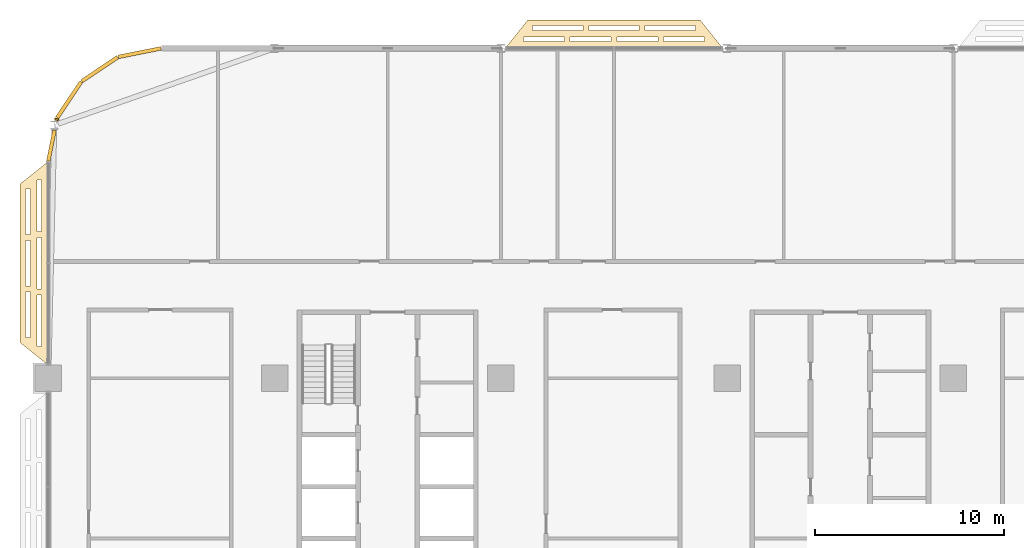
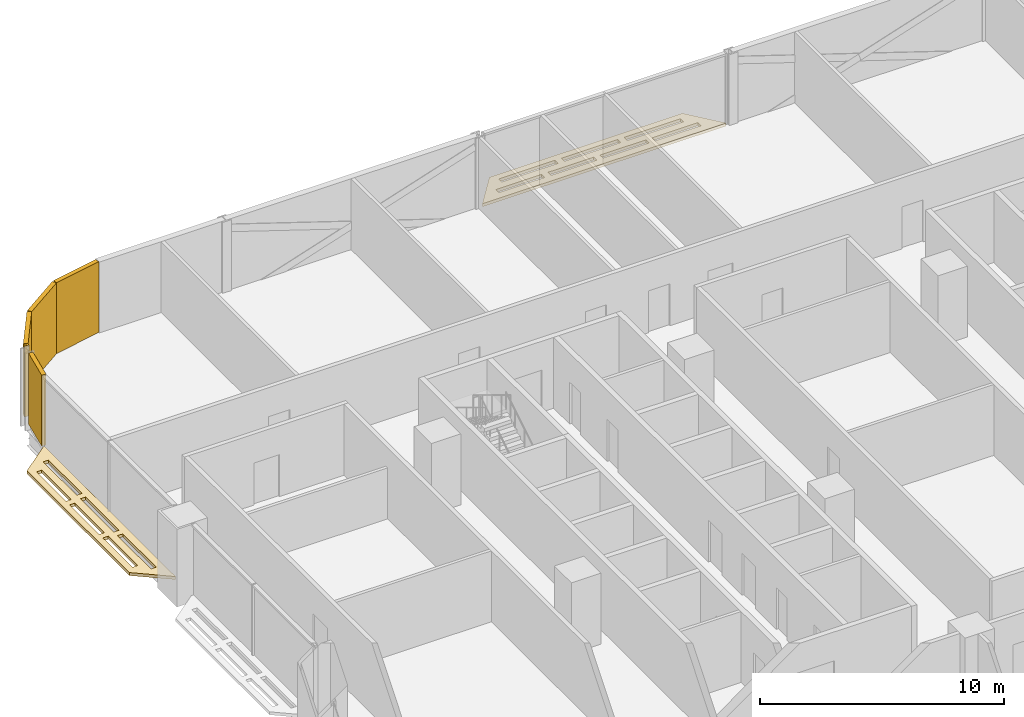
# One storey, part 27 of 29: 7 coverings.
"""IFC4 building model written with IfcOpenShell, lengths in metres."""

import ifcopenshell
import ifcopenshell.guid

model = None  # the IFC model being written
_history = None  # IfcOwnerHistory: only IFC2X3 demands one
_inside = {}  # id of a spatial element -> (the spatial element, [elements in it])
_under = {}  # id of a project, library or spatial element -> (it, [spatial elements below it])
_declared = {}  # id of a project -> (the project, [libraries it declares])
_typed = {}  # id of a type object -> (the type object, [elements of that type])
_made_of = {}  # id of a material, layer set ... -> (it, [elements and type objects made of it])


def new_model(schema):
    """Start an empty IFC model of exactly this schema.

    Asked for "IFC4X3", IfcOpenShell would pick the latest addendum, in which some entities
    have other attributes; the version numbers below select the first issue.
    IFC2X3 requires an IfcOwnerHistory on every rooted entity: one is made here for all.
    """
    global model, _history
    if schema == "IFC4X3":
        model = ifcopenshell.file(schema_version=(4, 3, 0, 0))
    else:
        model = ifcopenshell.file(schema=schema)
    _inside.clear()
    _under.clear()
    _declared.clear()
    _typed.clear()
    _made_of.clear()
    _history = None
    if model.schema == "IFC2X3":
        org = make("IfcOrganization", Name="unknown")
        user = make(
            "IfcPersonAndOrganization",
            ThePerson=make("IfcPerson", FamilyName="unknown"),
            TheOrganization=org,
        )
        app = make(
            "IfcApplication",
            ApplicationDeveloper=org,
            Version="unknown",
            ApplicationFullName="unknown",
            ApplicationIdentifier="unknown",
        )
        _history = make(
            "IfcOwnerHistory",
            OwningUser=user,
            OwningApplication=app,
            ChangeAction="ADDED",
            CreationDate=0,
        )
    return model


def make(cls, **values):
    """One entity of the class cls with the attributes given. An attribute that is None is left unset."""
    return model.create_entity(
        cls, **{name: value for name, value in values.items() if value is not None}
    )


def rooted(cls, **values):
    """An entity with a GlobalId (a new one), such as an element, a storey or a relation."""
    return make(cls, GlobalId=ifcopenshell.guid.new(), OwnerHistory=_history, **values)


def si_unit(unit_type, name, prefix=None):
    """IfcSIUnit, for example si_unit("LENGTHUNIT", "METRE", prefix="MILLI")."""
    return make("IfcSIUnit", UnitType=unit_type, Prefix=prefix, Name=name)


def assignment(units):
    """IfcUnitAssignment: the units of a project."""
    return None if units is None else make("IfcUnitAssignment", Units=units)


def point(xyz):
    """IfcCartesianPoint."""
    return None if xyz is None else make("IfcCartesianPoint", Coordinates=xyz)


def direction(xyz):
    """IfcDirection."""
    return None if xyz is None else make("IfcDirection", DirectionRatios=xyz)


def frame(location, z_axis=None, x_axis=None):
    """IfcAxis2Placement3D, a coordinate frame: its origin and axes. An axis left out is left unset."""
    return make(
        "IfcAxis2Placement3D",
        Location=point(location),
        Axis=direction(z_axis),
        RefDirection=direction(x_axis),
    )


def frame_2d(location, x_axis=None):
    """IfcAxis2Placement2D, a coordinate frame in the plane: its origin and x axis."""
    return make(
        "IfcAxis2Placement2D", Location=point(location), RefDirection=direction(x_axis)
    )


def origin():
    """The frame at (0, 0, 0) with its axes left unset."""
    return frame((0.0, 0.0, 0.0))


def origin_2d():
    """The frame at (0, 0) in the plane with its x axis left unset."""
    return frame_2d((0.0, 0.0))


def place(relative_to, where):
    """IfcLocalPlacement: puts the frame where relative to a parent placement (None: the world)."""
    return make(
        "IfcLocalPlacement", PlacementRelTo=relative_to, RelativePlacement=where
    )


def context(
    kind, dimensions, precision=None, world=None, true_north=None, identifier=None
):
    """IfcGeometricRepresentationContext, for example the 3D "Model" context."""
    return make(
        "IfcGeometricRepresentationContext",
        ContextIdentifier=identifier,
        ContextType=kind,
        CoordinateSpaceDimension=dimensions,
        Precision=precision,
        WorldCoordinateSystem=world,
        TrueNorth=true_north,
    )


def subcontext(parent, identifier, kind, view, scale=None):
    """IfcGeometricRepresentationSubContext, for example "Body" below "Model"."""
    return make(
        "IfcGeometricRepresentationSubContext",
        ContextIdentifier=identifier,
        ContextType=kind,
        ParentContext=parent,
        TargetScale=scale,
        TargetView=view,
    )


def project(units=None, contexts=None):
    """IfcProject with its units and contexts."""
    return rooted(
        "IfcProject",
        Name="project",
        RepresentationContexts=contexts,
        UnitsInContext=assignment(units),
    )


def spatial(cls, under=None, at=None, **own):
    """A site, building, storey or space (cls), placed at a placement, below another one or the project."""
    s = rooted(cls, ObjectPlacement=at, **own)
    if under is not None:
        _under.setdefault(under.id(), (under, []))[1].append(s)
    return s


def polyline(points):
    """IfcPolyline through the points."""
    return make("IfcPolyline", Points=[point(p) for p in points])


def profile(cls, at=None, kind="AREA", **sizes):
    """A parametric profile (cls). Its sizes go by their IFC names, for example OverallWidth=200.0."""
    return make(cls, ProfileType=kind, Position=at, **sizes)


def rectangle(**sizes):
    """IfcRectangleProfileDef."""
    return profile("IfcRectangleProfileDef", **sizes)


def outline(outer, holes=None, kind="AREA"):
    """IfcArbitraryClosedProfileDef: a profile drawn as a closed curve; with holes, ...WithVoids."""
    if holes is None:
        return make("IfcArbitraryClosedProfileDef", ProfileType=kind, OuterCurve=outer)
    return make(
        "IfcArbitraryProfileDefWithVoids",
        ProfileType=kind,
        OuterCurve=outer,
        InnerCurves=holes,
    )


def extrude(swept, where, along, depth):
    """IfcExtrudedAreaSolid: the profile swept, set in the frame where, extruded along a direction by depth."""
    return make(
        "IfcExtrudedAreaSolid",
        SweptArea=swept,
        Position=where,
        ExtrudedDirection=direction(along),
        Depth=depth,
    )


def shape(context_of_items, identifier, shape_type, items):
    """IfcShapeRepresentation: the items that make up one representation, for example the "Body"."""
    return make(
        "IfcShapeRepresentation",
        ContextOfItems=context_of_items,
        RepresentationIdentifier=identifier,
        RepresentationType=shape_type,
        Items=items,
    )


def material(Name=None, Category=None):
    """IfcMaterial."""
    return make("IfcMaterial", Name=Name, Category=Category)


def layer(
    of_material, thickness, ventilated=None, Name=None, Category=None, Priority=None
):
    """IfcMaterialLayer: one layer of a wall or slab, of a material (None: an air gap)."""
    return make(
        "IfcMaterialLayer",
        Material=of_material,
        LayerThickness=thickness,
        IsVentilated=ventilated,
        Name=Name,
        Category=Category,
        Priority=Priority,
    )


def layer_set(layers, Name=None):
    """IfcMaterialLayerSet."""
    return make("IfcMaterialLayerSet", MaterialLayers=layers, LayerSetName=Name)


def made_of(thing, what):
    """Note that an element or type object is made of a material, layer set ...; save() writes the relation."""
    if what is not None:
        _made_of.setdefault(what.id(), (what, []))[1].append(thing)
    return thing


def type_object(cls, material=None, **own):
    """A type object (cls), such as IfcWallType, which elements share."""
    return made_of(rooted(cls, **own), material)


def element(
    cls,
    number,
    at=None,
    inside=None,
    cuts=None,
    type_object=None,
    material=None,
    context=None,
    identifier="Body",
    shape_type=None,
    held_by="IfcProductDefinitionShape",
    body=None,
    shapes=None,
    **own,
):
    """One element of the class cls, such as IfcWall. Its Tag is "e" and its number.

    at: its placement. inside: the storey or other place that contains it. cuts: it is an
    opening in that element (IfcRelVoidsElement). A single representation is given by context,
    identifier, shape_type and body (its items); several are given by shapes. held_by: the class
    of the entity that holds the representations. save() writes the other relations.
    """
    e = rooted(cls, Tag="e%d" % number, ObjectPlacement=at, **own)
    if body is not None:
        shapes = [shape(context, identifier, shape_type, body)]
    if shapes is not None:
        e.Representation = make(held_by, Representations=shapes)
    if inside is not None:
        _inside.setdefault(inside.id(), (inside, []))[1].append(e)
    if cuts is not None:
        rooted(
            "IfcRelVoidsElement", RelatingBuildingElement=cuts, RelatedOpeningElement=e
        )
    if type_object is not None:
        _typed.setdefault(type_object.id(), (type_object, []))[1].append(e)
    return made_of(e, material)


def aggregate(whole, parts):
    """IfcRelAggregates: a whole, such as a stair, and the parts it consists of."""
    return rooted("IfcRelAggregates", RelatingObject=whole, RelatedObjects=parts)


def save(model, path):
    """Write the relations noted so far, then the file.

    IfcRelAggregates (storeys below a building ...), IfcRelContainedInSpatialStructure (elements
    in a storey), IfcRelDefinesByType, IfcRelAssociatesMaterial and IfcRelDeclares: one each for
    every whole, place, type object, material and project.
    """
    for whole, parts in _under.values():
        aggregate(whole, parts)
    for where, things in _inside.values():
        rooted(
            "IfcRelContainedInSpatialStructure",
            RelatedElements=things,
            RelatingStructure=where,
        )
    for kind, things in _typed.values():
        rooted("IfcRelDefinesByType", RelatedObjects=things, RelatingType=kind)
    for what, things in _made_of.values():
        rooted("IfcRelAssociatesMaterial", RelatedObjects=things, RelatingMaterial=what)
    for by, libraries in _declared.values():
        rooted("IfcRelDeclares", RelatingContext=by, RelatedDefinitions=libraries)
    model.write(path)


model = new_model("IFC4")

# Units and contexts
model_context = context("Model", 3, precision=1e-05, world=origin(), true_north=direction((0.0, 1.0)))
body_context = subcontext(model_context, "Body", "Model", "MODEL_VIEW")
ifc_project = project(units=[si_unit("LENGTHUNIT", "METRE"), si_unit("AREAUNIT", "SQUARE_METRE"), si_unit("VOLUMEUNIT", "CUBIC_METRE"), si_unit("PLANEANGLEUNIT", "RADIAN"), si_unit("MASSUNIT", "GRAM", prefix="KILO")], contexts=[model_context])

# Site, building, storey
site_placement = place(None, origin())
site = spatial("IfcSite", under=ifc_project, at=site_placement, CompositionType="ELEMENT")
building_placement = place(site_placement, origin())
building = spatial("IfcBuilding", under=site, at=building_placement, Name="Mahtab Terrace Research Tower", CompositionType="ELEMENT")
storey_placement = place(building_placement, frame((0.0, 0.0, 113.5)))
storey = spatial("IfcBuildingStorey", under=building, at=storey_placement, Name="L26", CompositionType="ELEMENT", Elevation=113.5)

# Coverings
ifc_material_1 = material(Name="Black aluminium cladding panel", Category="aluminium")
ifc_layer_1 = layer(ifc_material_1, 0.199951171875)
ifc_layer_set_1 = layer_set([ifc_layer_1], Name="Black metal corner cladding 200")
covering_type_1 = type_object("IfcCoveringType", Name="Black metal corner cladding 200", PredefinedType="CLADDING", material=ifc_layer_set_1)
for number, where, z_axis, x_axis, name in (
    (1, (-37.14794921875, 28.771484375, 0.0), (0.0, 0.0, 1.0), (-0.980760981187, -0.195212442692, 0.0), "Corner cladding L26 11"),
    (2, (-39.26953125, 27.89306640625, 0.0), (0.0, 0.0, 1.0), (-0.831655794326, -0.555291490808, 0.0), "Corner cladding L26 12"),
    (3, (-40.89306640625, 26.26953125, 0.0), (0.0, 0.0, 1.0), (-0.555291490808, -0.831655794326, 0.0), "Corner cladding L26 13"),
):
    element("IfcCovering", number, at=place(storey_placement, frame(where, z_axis=z_axis, x_axis=x_axis)), inside=storey, type_object=covering_type_1, Name=name, PredefinedType="CLADDING", context=body_context, shape_type="SweptSolid", body=[
        extrude(rectangle(XDim=2.30126953125, YDim=0.199951171875, at=origin_2d()), origin(), (0.0, 0.0, 1.0), 3.550048828125),
    ])
covering_1_placement = place(storey_placement, frame((-41.5556640625, 25.231689453125, 0.0), z_axis=(0.0, 0.0, 1.0), x_axis=(-0.195212442692, -0.980760981187, 0.0)))
element("IfcCovering", 4, at=covering_1_placement, inside=storey, type_object=covering_type_1, Name="Corner cladding L26 14", PredefinedType="CLADDING", context=body_context, shape_type="SweptSolid", body=[
    extrude(rectangle(XDim=0.11083984375, YDim=0.199951171875, at=origin_2d()), origin(), (0.0, 0.0, 1.0), 3.550048828125),
])
covering_2_placement = place(storey_placement, frame((-41.833740234375, 23.83544921875, 0.0), z_axis=(0.0, 0.0, 1.0), x_axis=(-0.195212442692, -0.980760981187, 0.0)))
element("IfcCovering", 5, at=covering_2_placement, inside=storey, type_object=covering_type_1, Name="Corner cladding L26 15", PredefinedType="CLADDING", context=body_context, shape_type="SweptSolid", body=[
    extrude(rectangle(XDim=1.6640625, YDim=0.199951171875, at=origin_2d()), origin(), (0.0, 0.0, 1.0), 3.550048828125),
])
ifc_material_2 = material(Name="Black anodised aluminium", Category="aluminium")
ifc_layer_2 = layer(ifc_material_2, 0.14990234375)
ifc_layer_set_2 = layer_set([ifc_layer_2], Name="Horizontal sunshade band")
covering_type_2 = type_object("IfcCoveringType", Name="Horizontal sunshade band", PredefinedType="CLADDING", material=ifc_layer_set_2)
covering_3_placement = place(storey_placement, frame((0.0, 0.0, -0.14990234375)))
element("IfcCovering", 6, at=covering_3_placement, inside=storey, type_object=covering_type_2, Name="Sunshade band L26 8", PredefinedType="CLADDING", context=body_context, shape_type="SweptSolid", body=[
    extrude(outline(polyline([(-6.22802734375, 29.0), (-17.77197265625, 29.0), (-16.572021484375, 30.5), (-7.427978515625, 30.5), (-6.22802734375, 29.0)]), holes=[polyline([(-7.2080078125, 29.35009765625), (-9.37890625, 29.35009765625), (-9.37890625, 29.60009765625), (-7.2080078125, 29.60009765625), (-7.2080078125, 29.35009765625)]), polyline([(-9.678955078125, 29.35009765625), (-11.85009765625, 29.35009765625), (-11.85009765625, 29.60009765625), (-9.678955078125, 29.60009765625), (-9.678955078125, 29.35009765625)]), polyline([(-12.14990234375, 29.35009765625), (-14.321044921875, 29.35009765625), (-14.321044921875, 29.60009765625), (-12.14990234375, 29.60009765625), (-12.14990234375, 29.35009765625)]), polyline([(-14.62109375, 29.35009765625), (-16.7919921875, 29.35009765625), (-16.7919921875, 29.60009765625), (-14.62109375, 29.60009765625), (-14.62109375, 29.35009765625)]), polyline([(-7.68798828125, 29.949951171875), (-10.363037109375, 29.949951171875), (-10.363037109375, 30.199951171875), (-7.68798828125, 30.199951171875), (-7.68798828125, 29.949951171875)]), polyline([(-10.6630859375, 29.949951171875), (-13.3369140625, 29.949951171875), (-13.3369140625, 30.199951171875), (-10.6630859375, 30.199951171875), (-10.6630859375, 29.949951171875)]), polyline([(-13.636962890625, 29.949951171875), (-16.31201171875, 29.949951171875), (-16.31201171875, 30.199951171875), (-13.636962890625, 30.199951171875), (-13.636962890625, 29.949951171875)])]), origin(), (0.0, 0.0, 1.0), 0.14990234375),
])
covering_4_placement = place(storey_placement, frame((0.0, 0.0, -0.14990234375)))
element("IfcCovering", 7, at=covering_4_placement, inside=storey, type_object=covering_type_2, Name="Sunshade band L26 16", PredefinedType="CLADDING", context=body_context, shape_type="SweptSolid", body=[
    extrude(outline(polyline([(-42.0, 23.0), (-42.0, 12.199951171875), (-43.5, 13.39990234375), (-43.5, 21.800048828125), (-42.0, 23.0)]), holes=[polyline([(-42.35009765625, 22.02001953125), (-42.35009765625, 19.27294921875), (-42.60009765625, 19.27294921875), (-42.60009765625, 22.02001953125), (-42.35009765625, 22.02001953125)]), polyline([(-42.35009765625, 18.972900390625), (-42.35009765625, 16.22705078125), (-42.60009765625, 16.22705078125), (-42.60009765625, 18.972900390625), (-42.35009765625, 18.972900390625)]), polyline([(-42.35009765625, 15.927001953125), (-42.35009765625, 13.179931640625), (-42.60009765625, 13.179931640625), (-42.60009765625, 15.927001953125), (-42.35009765625, 15.927001953125)]), polyline([(-42.949951171875, 21.5400390625), (-42.949951171875, 19.113037109375), (-43.199951171875, 19.113037109375), (-43.199951171875, 21.5400390625), (-42.949951171875, 21.5400390625)]), polyline([(-42.949951171875, 18.81298828125), (-42.949951171875, 16.386962890625), (-43.199951171875, 16.386962890625), (-43.199951171875, 18.81298828125), (-42.949951171875, 18.81298828125)]), polyline([(-42.949951171875, 16.0869140625), (-42.949951171875, 13.659912109375), (-43.199951171875, 13.659912109375), (-43.199951171875, 16.0869140625), (-42.949951171875, 16.0869140625)])]), origin(), (0.0, 0.0, 1.0), 0.14990234375),
])

save(model, "model.ifc")
